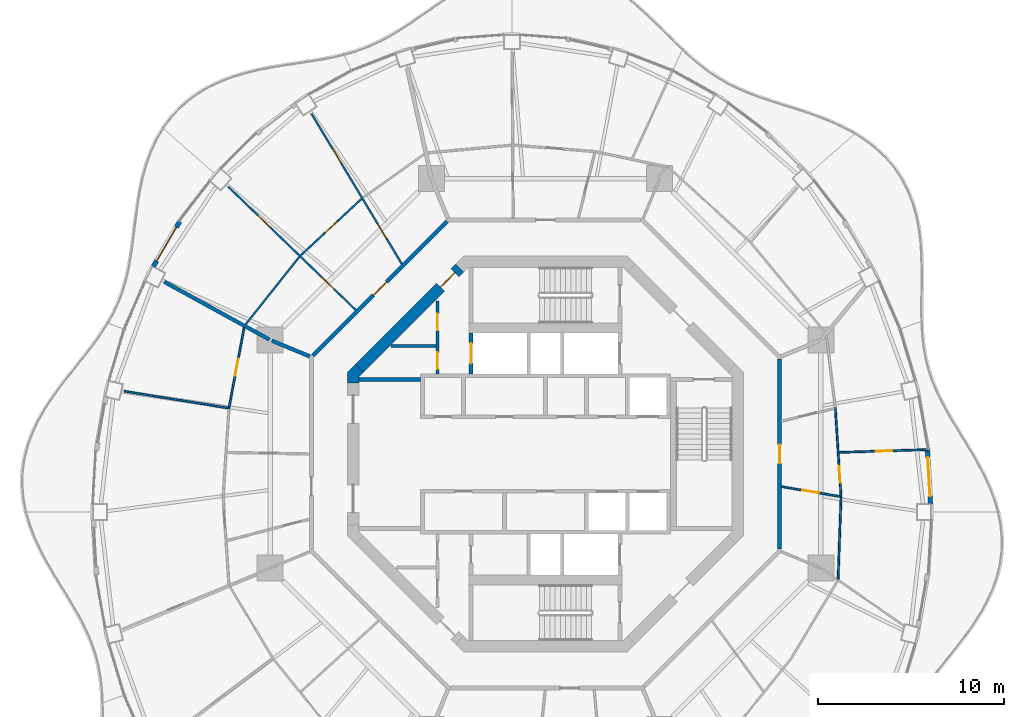
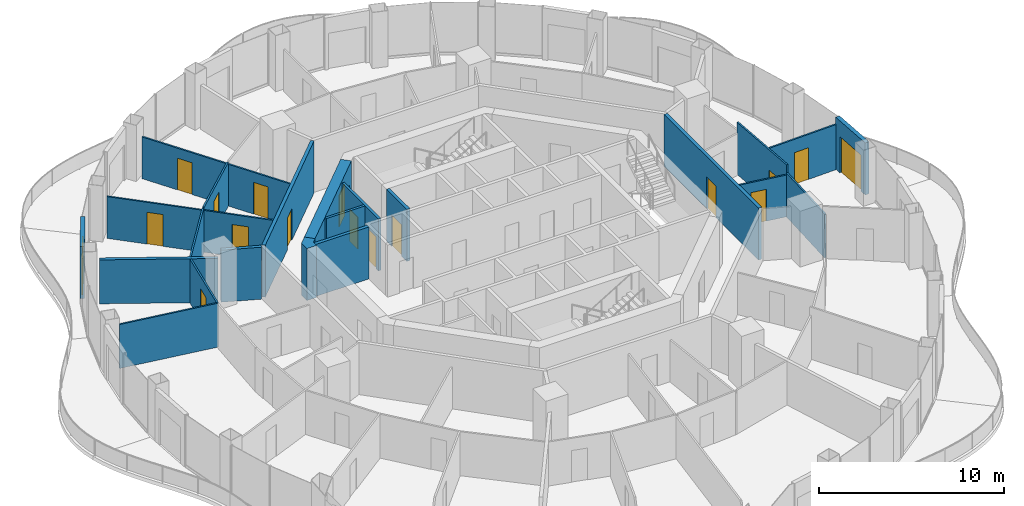
# One storey, part 12 of 17: 22 walls, 17 doors, 17 openings.
"""IFC4 building model written with IfcOpenShell, lengths in metres."""

import ifcopenshell
import ifcopenshell.guid

model = None  # the IFC model being written
_history = None  # IfcOwnerHistory: only IFC2X3 demands one
_inside = {}  # id of a spatial element -> (the spatial element, [elements in it])
_under = {}  # id of a project, library or spatial element -> (it, [spatial elements below it])
_declared = {}  # id of a project -> (the project, [libraries it declares])
_typed = {}  # id of a type object -> (the type object, [elements of that type])
_made_of = {}  # id of a material, layer set ... -> (it, [elements and type objects made of it])


def new_model(schema):
    """Start an empty IFC model of exactly this schema.

    Asked for "IFC4X3", IfcOpenShell would pick the latest addendum, in which some entities
    have other attributes; the version numbers below select the first issue.
    IFC2X3 requires an IfcOwnerHistory on every rooted entity: one is made here for all.
    """
    global model, _history
    if schema == "IFC4X3":
        model = ifcopenshell.file(schema_version=(4, 3, 0, 0))
    else:
        model = ifcopenshell.file(schema=schema)
    _inside.clear()
    _under.clear()
    _declared.clear()
    _typed.clear()
    _made_of.clear()
    _history = None
    if model.schema == "IFC2X3":
        org = make("IfcOrganization", Name="unknown")
        user = make(
            "IfcPersonAndOrganization",
            ThePerson=make("IfcPerson", FamilyName="unknown"),
            TheOrganization=org,
        )
        app = make(
            "IfcApplication",
            ApplicationDeveloper=org,
            Version="unknown",
            ApplicationFullName="unknown",
            ApplicationIdentifier="unknown",
        )
        _history = make(
            "IfcOwnerHistory",
            OwningUser=user,
            OwningApplication=app,
            ChangeAction="ADDED",
            CreationDate=0,
        )
    return model


def make(cls, **values):
    """One entity of the class cls with the attributes given. An attribute that is None is left unset."""
    return model.create_entity(
        cls, **{name: value for name, value in values.items() if value is not None}
    )


def rooted(cls, **values):
    """An entity with a GlobalId (a new one), such as an element, a storey or a relation."""
    return make(cls, GlobalId=ifcopenshell.guid.new(), OwnerHistory=_history, **values)


def si_unit(unit_type, name, prefix=None):
    """IfcSIUnit, for example si_unit("LENGTHUNIT", "METRE", prefix="MILLI")."""
    return make("IfcSIUnit", UnitType=unit_type, Prefix=prefix, Name=name)


def assignment(units):
    """IfcUnitAssignment: the units of a project."""
    return None if units is None else make("IfcUnitAssignment", Units=units)


def point(xyz):
    """IfcCartesianPoint."""
    return None if xyz is None else make("IfcCartesianPoint", Coordinates=xyz)


def direction(xyz):
    """IfcDirection."""
    return None if xyz is None else make("IfcDirection", DirectionRatios=xyz)


def frame(location, z_axis=None, x_axis=None):
    """IfcAxis2Placement3D, a coordinate frame: its origin and axes. An axis left out is left unset."""
    return make(
        "IfcAxis2Placement3D",
        Location=point(location),
        Axis=direction(z_axis),
        RefDirection=direction(x_axis),
    )


def frame_2d(location, x_axis=None):
    """IfcAxis2Placement2D, a coordinate frame in the plane: its origin and x axis."""
    return make(
        "IfcAxis2Placement2D", Location=point(location), RefDirection=direction(x_axis)
    )


def origin():
    """The frame at (0, 0, 0) with its axes left unset."""
    return frame((0.0, 0.0, 0.0))


def place(relative_to, where):
    """IfcLocalPlacement: puts the frame where relative to a parent placement (None: the world)."""
    return make(
        "IfcLocalPlacement", PlacementRelTo=relative_to, RelativePlacement=where
    )


def context(
    kind, dimensions, precision=None, world=None, true_north=None, identifier=None
):
    """IfcGeometricRepresentationContext, for example the 3D "Model" context."""
    return make(
        "IfcGeometricRepresentationContext",
        ContextIdentifier=identifier,
        ContextType=kind,
        CoordinateSpaceDimension=dimensions,
        Precision=precision,
        WorldCoordinateSystem=world,
        TrueNorth=true_north,
    )


def subcontext(parent, identifier, kind, view, scale=None):
    """IfcGeometricRepresentationSubContext, for example "Body" below "Model"."""
    return make(
        "IfcGeometricRepresentationSubContext",
        ContextIdentifier=identifier,
        ContextType=kind,
        ParentContext=parent,
        TargetScale=scale,
        TargetView=view,
    )


def project(units=None, contexts=None):
    """IfcProject with its units and contexts."""
    return rooted(
        "IfcProject",
        Name="project",
        RepresentationContexts=contexts,
        UnitsInContext=assignment(units),
    )


def spatial(cls, under=None, at=None, **own):
    """A site, building, storey or space (cls), placed at a placement, below another one or the project."""
    s = rooted(cls, ObjectPlacement=at, **own)
    if under is not None:
        _under.setdefault(under.id(), (under, []))[1].append(s)
    return s


def polyline(points):
    """IfcPolyline through the points."""
    return make("IfcPolyline", Points=[point(p) for p in points])


def profile(cls, at=None, kind="AREA", **sizes):
    """A parametric profile (cls). Its sizes go by their IFC names, for example OverallWidth=200.0."""
    return make(cls, ProfileType=kind, Position=at, **sizes)


def rectangle(**sizes):
    """IfcRectangleProfileDef."""
    return profile("IfcRectangleProfileDef", **sizes)


def outline(outer, holes=None, kind="AREA"):
    """IfcArbitraryClosedProfileDef: a profile drawn as a closed curve; with holes, ...WithVoids."""
    if holes is None:
        return make("IfcArbitraryClosedProfileDef", ProfileType=kind, OuterCurve=outer)
    return make(
        "IfcArbitraryProfileDefWithVoids",
        ProfileType=kind,
        OuterCurve=outer,
        InnerCurves=holes,
    )


def extrude(swept, where, along, depth):
    """IfcExtrudedAreaSolid: the profile swept, set in the frame where, extruded along a direction by depth."""
    return make(
        "IfcExtrudedAreaSolid",
        SweptArea=swept,
        Position=where,
        ExtrudedDirection=direction(along),
        Depth=depth,
    )


def shape(context_of_items, identifier, shape_type, items):
    """IfcShapeRepresentation: the items that make up one representation, for example the "Body"."""
    return make(
        "IfcShapeRepresentation",
        ContextOfItems=context_of_items,
        RepresentationIdentifier=identifier,
        RepresentationType=shape_type,
        Items=items,
    )


def material(Name=None, Category=None):
    """IfcMaterial."""
    return make("IfcMaterial", Name=Name, Category=Category)


def layer(
    of_material, thickness, ventilated=None, Name=None, Category=None, Priority=None
):
    """IfcMaterialLayer: one layer of a wall or slab, of a material (None: an air gap)."""
    return make(
        "IfcMaterialLayer",
        Material=of_material,
        LayerThickness=thickness,
        IsVentilated=ventilated,
        Name=Name,
        Category=Category,
        Priority=Priority,
    )


def layer_set(layers, Name=None):
    """IfcMaterialLayerSet."""
    return make("IfcMaterialLayerSet", MaterialLayers=layers, LayerSetName=Name)


def made_of(thing, what):
    """Note that an element or type object is made of a material, layer set ...; save() writes the relation."""
    if what is not None:
        _made_of.setdefault(what.id(), (what, []))[1].append(thing)
    return thing


def type_object(cls, material=None, **own):
    """A type object (cls), such as IfcWallType, which elements share."""
    return made_of(rooted(cls, **own), material)


def element(
    cls,
    number,
    at=None,
    inside=None,
    cuts=None,
    type_object=None,
    material=None,
    context=None,
    identifier="Body",
    shape_type=None,
    held_by="IfcProductDefinitionShape",
    body=None,
    shapes=None,
    **own,
):
    """One element of the class cls, such as IfcWall. Its Tag is "e" and its number.

    at: its placement. inside: the storey or other place that contains it. cuts: it is an
    opening in that element (IfcRelVoidsElement). A single representation is given by context,
    identifier, shape_type and body (its items); several are given by shapes. held_by: the class
    of the entity that holds the representations. save() writes the other relations.
    """
    e = rooted(cls, Tag="e%d" % number, ObjectPlacement=at, **own)
    if body is not None:
        shapes = [shape(context, identifier, shape_type, body)]
    if shapes is not None:
        e.Representation = make(held_by, Representations=shapes)
    if inside is not None:
        _inside.setdefault(inside.id(), (inside, []))[1].append(e)
    if cuts is not None:
        rooted(
            "IfcRelVoidsElement", RelatingBuildingElement=cuts, RelatedOpeningElement=e
        )
    if type_object is not None:
        _typed.setdefault(type_object.id(), (type_object, []))[1].append(e)
    return made_of(e, material)


def fill(opening, filler):
    """IfcRelFillsElement: the door or window that sits in an opening."""
    return rooted(
        "IfcRelFillsElement",
        RelatingOpeningElement=opening,
        RelatedBuildingElement=filler,
    )


def aggregate(whole, parts):
    """IfcRelAggregates: a whole, such as a stair, and the parts it consists of."""
    return rooted("IfcRelAggregates", RelatingObject=whole, RelatedObjects=parts)


def save(model, path):
    """Write the relations noted so far, then the file.

    IfcRelAggregates (storeys below a building ...), IfcRelContainedInSpatialStructure (elements
    in a storey), IfcRelDefinesByType, IfcRelAssociatesMaterial and IfcRelDeclares: one each for
    every whole, place, type object, material and project.
    """
    for whole, parts in _under.values():
        aggregate(whole, parts)
    for where, things in _inside.values():
        rooted(
            "IfcRelContainedInSpatialStructure",
            RelatedElements=things,
            RelatingStructure=where,
        )
    for kind, things in _typed.values():
        rooted("IfcRelDefinesByType", RelatedObjects=things, RelatingType=kind)
    for what, things in _made_of.values():
        rooted("IfcRelAssociatesMaterial", RelatedObjects=things, RelatingMaterial=what)
    for by, libraries in _declared.values():
        rooted("IfcRelDeclares", RelatingContext=by, RelatedDefinitions=libraries)
    model.write(path)


model = new_model("IFC4")

# Units and contexts
model_context = context("Model", 3, precision=1e-05, world=origin(), true_north=direction((0.0, 1.0)))
body_context = subcontext(model_context, "Body", "Model", "MODEL_VIEW")
ifc_project = project(units=[si_unit("LENGTHUNIT", "METRE"), si_unit("AREAUNIT", "SQUARE_METRE"), si_unit("VOLUMEUNIT", "CUBIC_METRE"), si_unit("PLANEANGLEUNIT", "RADIAN"), si_unit("MASSUNIT", "GRAM", prefix="KILO")], contexts=[model_context])

# Site, building, storey
site_placement = place(None, origin())
site = spatial("IfcSite", under=ifc_project, at=site_placement, CompositionType="ELEMENT")
building_placement = place(site_placement, origin())
building = spatial("IfcBuilding", under=site, at=building_placement, Name="Nagisa Residences", CompositionType="ELEMENT")
storey_placement = place(building_placement, frame((0.0, 0.0, 273.300048828125)))
storey = spatial("IfcBuildingStorey", under=building, at=storey_placement, Name="L69", CompositionType="ELEMENT", Elevation=273.300048828125)

# Walls
ifc_material_1 = material(Name="Gypsum board on steel studs", Category="steel")
ifc_layer_1 = layer(ifc_material_1, 0.199951171875)
ifc_layer_set_1 = layer_set([ifc_layer_1], Name="Apartment compartment wall EI60 200")
wall_type_1 = type_object("IfcWallType", Name="Apartment compartment wall EI60 200", PredefinedType="PARTITIONING", material=ifc_layer_set_1)
wall_1_placement = place(storey_placement, frame((-12.6572265625, 5.24267578125, 0.0), z_axis=(0.0, 0.0, 1.0), x_axis=(-0.923869415315, 0.382707856524, 0.0)))
element("IfcWall", 1, at=wall_1_placement, inside=storey, type_object=wall_type_1, Name="wall:L69:u04", PredefinedType="PARTITIONING", context=body_context, shape_type="SweptSolid", body=[
    extrude(rectangle(XDim=2.2001953125, YDim=0.199951171875, at=frame_2d((1.10009765625, 0.0))), origin(), (0.0, 0.0, 1.0), 3.43994140625),
])
wall_2_placement = place(storey_placement, frame((-14.825927734375, 6.14697265625, 0.0), z_axis=(0.0, 0.0, 1.0), x_axis=(-0.876484755865, 0.481429613481, 0.0)))
element("IfcWall", 2, at=wall_2_placement, inside=storey, type_object=wall_type_1, Name="wall:L69:u05", PredefinedType="PARTITIONING", context=body_context, shape_type="SweptSolid", body=[
    extrude(rectangle(XDim=6.43896484375, YDim=0.199951171875, at=frame_2d((3.219482421875, 0.0))), origin(), (0.0, 0.0, 1.0), 2.905029296875),
])

# Wall, opening, door
ifc_material_2 = material(Name="Gypsum board on steel studs", Category="steel")
ifc_layer_2 = layer(ifc_material_2, 0.199951171875)
ifc_layer_set_2 = layer_set([ifc_layer_2], Name="Apartment entry wall EI60 200")
wall_type_2 = type_object("IfcWallType", Name="Apartment entry wall EI60 200", PredefinedType="PARTITIONING", material=ifc_layer_set_2)
wall_3_placement = place(storey_placement, frame((12.564697265625, -5.1044921875, 0.0), z_axis=(0.0, 0.0, 1.0), x_axis=(0.0, 1.0, 0.0)))
wall_3 = element("IfcWall", 3, at=wall_3_placement, inside=storey, type_object=wall_type_2, Name="wall:L69:u10", PredefinedType="PARTITIONING", context=body_context, shape_type="SweptSolid", body=[
    extrude(rectangle(XDim=10.208984375, YDim=0.199951171875, at=frame_2d((5.1044921875, 0.0))), origin(), (0.0, 0.0, 1.0), 3.43994140625),
])
opening_1_placement = place(wall_3_placement, frame((4.6044921875, 0.0, 0.0)))
opening_1 = element("IfcOpeningElement", 4, at=opening_1_placement, cuts=wall_3, Name="Opening L69-U31", PredefinedType="OPENING", context=body_context, shape_type="SweptSolid", body=[
    extrude(rectangle(XDim=1.0, YDim=2.10009765625, at=frame_2d((0.5, 1.050048828125))), frame((0.0, 0.10986328125, 0.0), z_axis=(0.0, -1.0, 0.0), x_axis=(1.0, 0.0, 0.0)), (0.0, 0.0, 1.0), 0.219970703125),
])
ifc_material_3 = material(Name="Timber fire door set", Category="wood")
door_type_1 = type_object("IfcDoorType", Name="Apartment entry door FD30S 1000x2100", OperationType="NOTDEFINED", PredefinedType="DOOR", material=ifc_material_3)
door_1_placement = place(opening_1_placement, frame((1.0, 0.0, 0.0), x_axis=(-1.0, 0.0, 0.0)))
door_1 = element("IfcDoor", 5, at=door_1_placement, inside=storey, type_object=door_type_1, Name="Entry door, Apartment 69E", OperationType="SINGLE_SWING_RIGHT", OverallHeight=2.10009765625, OverallWidth=1.0, PredefinedType="DOOR", context=body_context, shape_type="SweptSolid", body=[
    extrude(rectangle(XDim=1.0, YDim=2.10009765625, at=frame_2d((0.5, 1.050048828125))), frame((0.0, 0.02490234375, 0.0), z_axis=(0.0, -1.0, 0.0), x_axis=(1.0, 0.0, 0.0)), (0.0, 0.0, 1.0), 0.050048828125),
])
fill(opening_1, door_1)

wall_4_placement = place(storey_placement, frame((-5.275146484375, 12.494140625, 0.0), z_axis=(0.0, 0.0, 1.0), x_axis=(-0.707106781187, -0.707106781187, 0.0)))
wall_4 = element("IfcWall", 6, at=wall_4_placement, inside=storey, type_object=wall_type_2, Name="wall:L69:u13", PredefinedType="PARTITIONING", context=body_context, shape_type="SweptSolid", body=[
    extrude(rectangle(XDim=10.209228515625, YDim=0.199951171875, at=frame_2d((5.1044921875, 0.0))), origin(), (0.0, 0.0, 1.0), 3.43994140625),
])
opening_2_placement = place(wall_4_placement, frame((4.6044921875, 0.0, 0.0)))
opening_2 = element("IfcOpeningElement", 7, at=opening_2_placement, cuts=wall_4, Name="Opening L69-U09", PredefinedType="OPENING", context=body_context, shape_type="SweptSolid", body=[
    extrude(rectangle(XDim=1.0, YDim=2.10009765625, at=frame_2d((0.5, 1.050048828125))), frame((0.0, 0.10986328125, 0.0), z_axis=(0.0, -1.0, 0.0), x_axis=(1.0, 0.0, 0.0)), (0.0, 0.0, 1.0), 0.219970703125),
])
door_2_placement = place(opening_2_placement, frame((1.0, 0.0, 0.0), x_axis=(-1.0, 0.0, 0.0)))
door_2 = element("IfcDoor", 8, at=door_2_placement, inside=storey, type_object=door_type_1, Name="Entry door, Apartment 69B", OperationType="SINGLE_SWING_RIGHT", OverallHeight=2.10009765625, OverallWidth=1.0, PredefinedType="DOOR", context=body_context, shape_type="SweptSolid", body=[
    extrude(rectangle(XDim=1.0, YDim=2.10009765625, at=frame_2d((0.5, 1.050048828125))), frame((0.0, 0.02490234375, 0.0), z_axis=(0.0, -1.0, 0.0), x_axis=(1.0, 0.0, 0.0)), (0.0, 0.0, 1.0), 0.050048828125),
])
fill(opening_2, door_2)

ifc_material_4 = material(Name="Gypsum board on steel studs", Category="steel")
ifc_layer_3 = layer(ifc_material_4, 0.10009765625)
ifc_layer_set_3 = layer_set([ifc_layer_3], Name="Apartment partition 100")
wall_type_3 = type_object("IfcWallType", Name="Apartment partition 100", PredefinedType="PARTITIONING", material=ifc_layer_set_3)
wall_5_placement = place(storey_placement, frame((12.663330078125, -1.75146484375, 0.0), z_axis=(0.0, 0.0, 1.0), x_axis=(0.98626156497, -0.165191178529, 0.0)))
wall_5 = element("IfcWall", 9, at=wall_5_placement, inside=storey, type_object=wall_type_3, Name="wall:L69:u18", PredefinedType="PARTITIONING", context=body_context, shape_type="SweptSolid", body=[
    extrude(rectangle(XDim=3.1982421875, YDim=0.10009765625, at=frame_2d((1.59912109375, 0.0))), origin(), (0.0, 0.0, 1.0), 2.761962890625),
])
opening_3_placement = place(wall_5_placement, frame((1.149169921875, 0.0, 0.0)))
opening_3 = element("IfcOpeningElement", 10, at=opening_3_placement, cuts=wall_5, Name="Opening L69-U32", PredefinedType="OPENING", context=body_context, shape_type="SweptSolid", body=[
    extrude(rectangle(XDim=0.89990234375, YDim=2.10009765625, at=frame_2d((0.449951171875, 1.050048828125))), frame((0.0, 0.06005859375, 0.0), z_axis=(0.0, -1.0, 0.0), x_axis=(1.0, 0.0, 0.0)), (0.0, 0.0, 1.0), 0.1201171875),
])
ifc_material_5 = material(Name="Timber door set", Category="wood")
door_type_2 = type_object("IfcDoorType", Name="Apartment door 900x2100", OperationType="NOTDEFINED", PredefinedType="DOOR", material=ifc_material_5)
door_3_placement = place(opening_3_placement, frame((0.89990234375, 0.0, 0.0), x_axis=(-1.0, 0.0, 0.0)))
door_3 = element("IfcDoor", 11, at=door_3_placement, inside=storey, type_object=door_type_2, Name="Door to family bathroom, Apartment 69E", OperationType="SINGLE_SWING_LEFT", OverallHeight=2.10009765625, OverallWidth=0.89990234375, PredefinedType="DOOR", context=body_context, shape_type="SweptSolid", body=[
    extrude(rectangle(XDim=0.89990234375, YDim=2.10009765625, at=frame_2d((0.449951171875, 1.050048828125))), frame((0.0, 0.02490234375, 0.0), z_axis=(0.0, -1.0, 0.0), x_axis=(1.0, 0.0, 0.0)), (0.0, 0.0, 1.0), 0.050048828125),
])
fill(opening_3, door_3)

wall_6_placement = place(storey_placement, frame((15.8701171875, -2.337890625, 0.0), z_axis=(0.0, 0.0, 1.0), x_axis=(-0.064797294757, 0.997898447034, 0.0)))
wall_6 = element("IfcWall", 12, at=wall_6_placement, inside=storey, type_object=wall_type_3, Name="wall:L69:u19", PredefinedType="PARTITIONING", context=body_context, shape_type="SweptSolid", body=[
    extrude(rectangle(XDim=4.856689453125, YDim=0.10009765625, at=frame_2d((2.42822265625, 0.0))), origin(), (0.0, 0.0, 1.0), 3.43994140625),
])
opening_4_placement = place(wall_6_placement, frame((0.789306640625, 0.0, 0.0)))
opening_4 = element("IfcOpeningElement", 13, at=opening_4_placement, cuts=wall_6, Name="Opening L69-U34", PredefinedType="OPENING", context=body_context, shape_type="SweptSolid", body=[
    extrude(rectangle(XDim=0.89990234375, YDim=2.10009765625, at=frame_2d((0.449951171875, 1.050048828125))), frame((0.0, 0.06005859375, 0.0), z_axis=(0.0, -1.0, 0.0), x_axis=(1.0, 0.0, 0.0)), (0.0, 0.0, 1.0), 0.1201171875),
])
door_4_placement = place(opening_4_placement, frame((0.89990234375, 0.0, 0.0), x_axis=(-1.0, 0.0, 0.0)))
door_4 = element("IfcDoor", 14, at=door_4_placement, inside=storey, type_object=door_type_2, Name="Door to kitchen, Apartment 69E", OperationType="SINGLE_SWING_LEFT", OverallHeight=2.10009765625, OverallWidth=0.89990234375, PredefinedType="DOOR", context=body_context, shape_type="SweptSolid", body=[
    extrude(rectangle(XDim=0.89990234375, YDim=2.10009765625, at=frame_2d((0.449951171875, 1.050048828125))), frame((0.0, 0.02490234375, 0.0), z_axis=(0.0, -1.0, 0.0), x_axis=(1.0, 0.0, 0.0)), (0.0, 0.0, 1.0), 0.050048828125),
])
fill(opening_4, door_4)

# Wall
wall_7_placement = place(storey_placement, frame((15.864990234375, -2.337890625, 0.0), z_axis=(0.0, 0.0, 1.0), x_axis=(-0.035902310383, -0.999355304238, 0.0)))
element("IfcWall", 15, at=wall_7_placement, inside=storey, type_object=wall_type_3, Name="wall:L69:u20", PredefinedType="PARTITIONING", context=body_context, shape_type="SweptSolid", body=[
    extrude(rectangle(XDim=4.37939453125, YDim=0.10009765625, at=frame_2d((2.189697265625, 0.0))), origin(), (0.0, 0.0, 1.0), 2.905029296875),
])

# Wall, opening, door
wall_8_placement = place(storey_placement, frame((15.7626953125, 0.0869140625, 0.0), z_axis=(0.0, 0.0, 1.0), x_axis=(0.999492034598, 0.03186962151, 0.0)))
wall_8 = element("IfcWall", 16, at=wall_8_placement, inside=storey, type_object=wall_type_3, Name="wall:L69:u21", PredefinedType="PARTITIONING", context=body_context, shape_type="SweptSolid", body=[
    extrude(rectangle(XDim=4.826171875, YDim=0.10009765625, at=frame_2d((2.4130859375, 0.0))), origin(), (0.0, 0.0, 1.0), 2.98291015625),
])
opening_5_placement = place(wall_8_placement, frame((1.963134765625, 0.0, 0.0)))
opening_5 = element("IfcOpeningElement", 17, at=opening_5_placement, cuts=wall_8, Name="Opening L69-U35", PredefinedType="OPENING", context=body_context, shape_type="SweptSolid", body=[
    extrude(rectangle(XDim=0.89990234375, YDim=2.10009765625, at=frame_2d((0.449951171875, 1.050048828125))), frame((0.0, 0.06005859375, 0.0), z_axis=(0.0, -1.0, 0.0), x_axis=(1.0, 0.0, 0.0)), (0.0, 0.0, 1.0), 0.1201171875),
])
door_5_placement = place(opening_5_placement, origin())
door_5 = element("IfcDoor", 18, at=door_5_placement, inside=storey, type_object=door_type_2, Name="Door to bedroom, Apartment 69E", OperationType="SINGLE_SWING_LEFT", OverallHeight=2.10009765625, OverallWidth=0.89990234375, PredefinedType="DOOR", context=body_context, shape_type="SweptSolid", body=[
    extrude(rectangle(XDim=0.89990234375, YDim=2.10009765625, at=frame_2d((0.449951171875, 1.050048828125))), frame((0.0, 0.02490234375, 0.0), z_axis=(0.0, -1.0, 0.0), x_axis=(1.0, 0.0, 0.0)), (0.0, 0.0, 1.0), 0.050048828125),
])
fill(opening_5, door_5)

# Wall, openings, doors
wall_9_placement = place(storey_placement, frame((-7.70947265625, 10.197021484375, 0.0), z_axis=(0.0, 0.0, 1.0), x_axis=(-0.515516160663, 0.856879856278, 0.0)))
wall_9 = element("IfcWall", 19, at=wall_9_placement, inside=storey, type_object=wall_type_3, Name="wall:L69:u35", PredefinedType="PARTITIONING", context=body_context, shape_type="SweptSolid", body=[
    extrude(rectangle(XDim=9.42626953125, YDim=0.10009765625, at=frame_2d((4.713134765625, 0.0))), origin(), (0.0, 0.0, 1.0), 2.761962890625),
])
opening_6_placement = place(wall_9_placement, frame((1.615234375, 0.0, 0.0)))
opening_6 = element("IfcOpeningElement", 20, at=opening_6_placement, cuts=wall_9, Name="Opening L69-U10", PredefinedType="OPENING", context=body_context, shape_type="SweptSolid", body=[
    extrude(rectangle(XDim=0.89990234375, YDim=2.10009765625, at=frame_2d((0.449951171875, 1.050048828125))), frame((0.0, 0.06005859375, 0.0), z_axis=(0.0, -1.0, 0.0), x_axis=(1.0, 0.0, 0.0)), (0.0, 0.0, 1.0), 0.1201171875),
])
opening_7_placement = place(wall_9_placement, frame((6.328369140625, 0.0, 0.0)))
opening_7 = element("IfcOpeningElement", 21, at=opening_7_placement, cuts=wall_9, Name="Opening L69-U14", PredefinedType="OPENING", context=body_context, shape_type="SweptSolid", body=[
    extrude(rectangle(XDim=0.89990234375, YDim=2.10009765625, at=frame_2d((0.449951171875, 1.050048828125))), frame((0.0, 0.06005859375, 0.0), z_axis=(0.0, -1.0, 0.0), x_axis=(1.0, 0.0, 0.0)), (0.0, 0.0, 1.0), 0.1201171875),
])
door_6_placement = place(opening_6_placement, frame((0.89990234375, 0.0, 0.0), x_axis=(-1.0, 0.0, 0.0)))
door_6 = element("IfcDoor", 22, at=door_6_placement, inside=storey, type_object=door_type_2, Name="Door to family bathroom, Apartment 69B", OperationType="SINGLE_SWING_LEFT", OverallHeight=2.10009765625, OverallWidth=0.89990234375, PredefinedType="DOOR", context=body_context, shape_type="SweptSolid", body=[
    extrude(rectangle(XDim=0.89990234375, YDim=2.10009765625, at=frame_2d((0.449951171875, 1.050048828125))), frame((0.0, 0.02490234375, 0.0), z_axis=(0.0, -1.0, 0.0), x_axis=(1.0, 0.0, 0.0)), (0.0, 0.0, 1.0), 0.050048828125),
])
fill(opening_6, door_6)
door_7_placement = place(opening_7_placement, frame((0.89990234375, 0.0, 0.0), x_axis=(-1.0, 0.0, 0.0)))
door_7 = element("IfcDoor", 23, at=door_7_placement, inside=storey, type_object=door_type_2, Name="Door to kitchen, Apartment 69B", OperationType="SINGLE_SWING_LEFT", OverallHeight=2.10009765625, OverallWidth=0.89990234375, PredefinedType="DOOR", context=body_context, shape_type="SweptSolid", body=[
    extrude(rectangle(XDim=0.89990234375, YDim=2.10009765625, at=frame_2d((0.449951171875, 1.050048828125))), frame((0.0, 0.02490234375, 0.0), z_axis=(0.0, -1.0, 0.0), x_axis=(1.0, 0.0, 0.0)), (0.0, 0.0, 1.0), 0.050048828125),
])
fill(opening_7, door_7)

# Wall, opening, door
wall_10_placement = place(storey_placement, frame((-9.87548828125, 13.702392578125, 0.0), z_axis=(0.0, 0.0, 1.0), x_axis=(-0.732618266441, -0.680639754699, 0.0)))
wall_10 = element("IfcWall", 24, at=wall_10_placement, inside=storey, type_object=wall_type_3, Name="wall:L69:u36", PredefinedType="PARTITIONING", context=body_context, shape_type="SweptSolid", body=[
    extrude(rectangle(XDim=4.466796875, YDim=0.10009765625, at=frame_2d((2.2333984375, 0.0))), origin(), (0.0, 0.0, 1.0), 2.905029296875),
])
opening_8_placement = place(wall_10_placement, frame((1.783447265625, 0.0, 0.0)))
opening_8 = element("IfcOpeningElement", 25, at=opening_8_placement, cuts=wall_10, Name="Opening L69-U12", PredefinedType="OPENING", context=body_context, shape_type="SweptSolid", body=[
    extrude(rectangle(XDim=0.89990234375, YDim=2.10009765625, at=frame_2d((0.449951171875, 1.050048828125))), frame((0.0, 0.06005859375, 0.0), z_axis=(0.0, -1.0, 0.0), x_axis=(1.0, 0.0, 0.0)), (0.0, 0.0, 1.0), 0.1201171875),
])
door_8_placement = place(opening_8_placement, frame((0.89990234375, 0.0, 0.0), x_axis=(-1.0, 0.0, 0.0)))
door_8 = element("IfcDoor", 26, at=door_8_placement, inside=storey, type_object=door_type_2, Name="Door to dining room, Apartment 69B", OperationType="SINGLE_SWING_LEFT", OverallHeight=2.10009765625, OverallWidth=0.89990234375, PredefinedType="DOOR", context=body_context, shape_type="SweptSolid", body=[
    extrude(rectangle(XDim=0.89990234375, YDim=2.10009765625, at=frame_2d((0.449951171875, 1.050048828125))), frame((0.0, 0.02490234375, 0.0), z_axis=(0.0, -1.0, 0.0), x_axis=(1.0, 0.0, 0.0)), (0.0, 0.0, 1.0), 0.050048828125),
])
fill(opening_8, door_8)

# Wall, openings, doors
wall_11_placement = place(storey_placement, frame((-10.183349609375, 7.727294921875, 0.0), z_axis=(0.0, 0.0, 1.0), x_axis=(-0.719063433856, 0.694944442449, 0.0)))
wall_11 = element("IfcWall", 27, at=wall_11_placement, inside=storey, type_object=wall_type_3, Name="wall:L69:u37", PredefinedType="PARTITIONING", context=body_context, shape_type="SweptSolid", body=[
    extrude(rectangle(XDim=9.53515625, YDim=0.10009765625, at=frame_2d((4.767578125, 0.0))), origin(), (0.0, 0.0, 1.0), 2.761962890625),
])
opening_9_placement = place(wall_11_placement, frame((1.636962890625, 0.0, 0.0)))
opening_9 = element("IfcOpeningElement", 28, at=opening_9_placement, cuts=wall_11, Name="Opening L69-U11", PredefinedType="OPENING", context=body_context, shape_type="SweptSolid", body=[
    extrude(rectangle(XDim=0.89990234375, YDim=2.10009765625, at=frame_2d((0.449951171875, 1.050048828125))), frame((0.0, 0.06005859375, 0.0), z_axis=(0.0, -1.0, 0.0), x_axis=(1.0, 0.0, 0.0)), (0.0, 0.0, 1.0), 0.1201171875),
])
opening_10_placement = place(wall_11_placement, frame((6.404541015625, 0.0, 0.0)))
opening_10 = element("IfcOpeningElement", 29, at=opening_10_placement, cuts=wall_11, Name="Opening L69-U13", PredefinedType="OPENING", context=body_context, shape_type="SweptSolid", body=[
    extrude(rectangle(XDim=0.89990234375, YDim=2.10009765625, at=frame_2d((0.449951171875, 1.050048828125))), frame((0.0, 0.06005859375, 0.0), z_axis=(0.0, -1.0, 0.0), x_axis=(1.0, 0.0, 0.0)), (0.0, 0.0, 1.0), 0.1201171875),
])
door_9_placement = place(opening_9_placement, origin())
door_9 = element("IfcDoor", 30, at=door_9_placement, inside=storey, type_object=door_type_2, Name="Door to store, Apartment 69B", OperationType="SINGLE_SWING_LEFT", OverallHeight=2.10009765625, OverallWidth=0.89990234375, PredefinedType="DOOR", context=body_context, shape_type="SweptSolid", body=[
    extrude(rectangle(XDim=0.89990234375, YDim=2.10009765625, at=frame_2d((0.449951171875, 1.050048828125))), frame((0.0, 0.02490234375, 0.0), z_axis=(0.0, -1.0, 0.0), x_axis=(1.0, 0.0, 0.0)), (0.0, 0.0, 1.0), 0.050048828125),
])
fill(opening_9, door_9)
door_10_placement = place(opening_10_placement, origin())
door_10 = element("IfcDoor", 31, at=door_10_placement, inside=storey, type_object=door_type_2, Name="Door to bedroom, Apartment 69B", OperationType="SINGLE_SWING_LEFT", OverallHeight=2.10009765625, OverallWidth=0.89990234375, PredefinedType="DOOR", context=body_context, shape_type="SweptSolid", body=[
    extrude(rectangle(XDim=0.89990234375, YDim=2.10009765625, at=frame_2d((0.449951171875, 1.050048828125))), frame((0.0, 0.02490234375, 0.0), z_axis=(0.0, -1.0, 0.0), x_axis=(1.0, 0.0, 0.0)), (0.0, 0.0, 1.0), 0.050048828125),
])
fill(opening_10, door_10)

# Wall
wall_12_placement = place(storey_placement, frame((-13.2158203125, 10.5888671875, 0.0), z_axis=(0.0, 0.0, 1.0), x_axis=(-0.622251572882, -0.782817335045, 0.0)))
element("IfcWall", 32, at=wall_12_placement, inside=storey, type_object=wall_type_3, Name="wall:L69:u38", PredefinedType="PARTITIONING", context=body_context, shape_type="SweptSolid", body=[
    extrude(rectangle(XDim=4.635986328125, YDim=0.10009765625, at=frame_2d((2.31787109375, 0.0))), origin(), (0.0, 0.0, 1.0), 2.905029296875),
])

# Wall, opening, door
wall_13_placement = place(storey_placement, frame((-16.181396484375, 6.783203125, 0.0), z_axis=(0.0, 0.0, 1.0), x_axis=(-0.185670583745, -0.982612046706, 0.0)))
wall_13 = element("IfcWall", 33, at=wall_13_placement, inside=storey, type_object=wall_type_3, Name="wall:L69:u39", PredefinedType="PARTITIONING", context=body_context, shape_type="SweptSolid", body=[
    extrude(rectangle(XDim=4.35107421875, YDim=0.10009765625, at=frame_2d((2.175537109375, 0.0))), origin(), (0.0, 0.0, 1.0), 2.905029296875),
])
opening_11_placement = place(wall_13_placement, frame((1.7255859375, 0.0, 0.0)))
opening_11 = element("IfcOpeningElement", 34, at=opening_11_placement, cuts=wall_13, Name="Opening L69-U18", PredefinedType="OPENING", context=body_context, shape_type="SweptSolid", body=[
    extrude(rectangle(XDim=0.89990234375, YDim=2.10009765625, at=frame_2d((0.449951171875, 1.050048828125))), frame((0.0, 0.06005859375, 0.0), z_axis=(0.0, -1.0, 0.0), x_axis=(1.0, 0.0, 0.0)), (0.0, 0.0, 1.0), 0.1201171875),
])
door_11_placement = place(opening_11_placement, frame((0.89990234375, 0.0, 0.0), x_axis=(-1.0, 0.0, 0.0)))
door_11 = element("IfcDoor", 35, at=door_11_placement, inside=storey, type_object=door_type_2, Name="Door to bedroom, Apartment 69C", OperationType="SINGLE_SWING_LEFT", OverallHeight=2.10009765625, OverallWidth=0.89990234375, PredefinedType="DOOR", context=body_context, shape_type="SweptSolid", body=[
    extrude(rectangle(XDim=0.89990234375, YDim=2.10009765625, at=frame_2d((0.449951171875, 1.050048828125))), frame((0.0, 0.02490234375, 0.0), z_axis=(0.0, -1.0, 0.0), x_axis=(1.0, 0.0, 0.0)), (0.0, 0.0, 1.0), 0.050048828125),
])
fill(opening_11, door_11)

# Wall
wall_14_placement = place(storey_placement, frame((-16.94921875, 2.45068359375, 0.0), z_axis=(0.0, 0.0, 1.0), x_axis=(-0.986937570833, 0.161103169673, 0.0)))
element("IfcWall", 36, at=wall_14_placement, inside=storey, type_object=wall_type_3, Name="wall:L69:u40", PredefinedType="PARTITIONING", context=body_context, shape_type="SweptSolid", body=[
    extrude(rectangle(XDim=5.743408203125, YDim=0.10009765625, at=frame_2d((2.87158203125, 0.0))), origin(), (0.0, 0.0, 1.0), 2.905029296875),
])

# Wall, opening, door
ifc_material_6 = material(Name="Precast concrete C40/50", Category="concrete")
ifc_layer_4 = layer(ifc_material_6, 0.25)
ifc_layer_set_4 = layer_set([ifc_layer_4], Name="BALCONY DOOR WALL 250")
wall_type_4 = type_object("IfcWallType", Name="BALCONY DOOR WALL 250", PredefinedType="SOLIDWALL", material=ifc_layer_set_4)
wall_15_placement = place(storey_placement, frame((20.501708984375, 0.23486328125, 0.0), z_axis=(0.0, 0.0, 1.0), x_axis=(0.057533933376, -0.998343551344, 0.0)))
wall_15 = element("IfcWall", 37, at=wall_15_placement, inside=storey, type_object=wall_type_4, Name="wall:L69:bay00", PredefinedType="SOLIDWALL", context=body_context, shape_type="SweptSolid", body=[
    extrude(rectangle(XDim=2.915283203125, YDim=0.25, at=frame_2d((1.45751953125, 0.0))), origin(), (0.0, 0.0, 1.0), 3.43994140625),
])
opening_12_placement = place(wall_15_placement, frame((0.40771484375, 0.0, 0.0)))
opening_12 = element("IfcOpeningElement", 38, at=opening_12_placement, cuts=wall_15, Name="Opening BD-L69-01", PredefinedType="OPENING", context=body_context, shape_type="SweptSolid", body=[
    extrude(rectangle(XDim=2.10009765625, YDim=2.39990234375, at=frame_2d((1.050048828125, 1.199951171875))), frame((0.0, 0.135009765625, 0.0), z_axis=(0.0, -1.0, 0.0), x_axis=(1.0, 0.0, 0.0)), (0.0, 0.0, 1.0), 0.27001953125),
])
ifc_material_7 = material(Name="Aluminium and clear glass", Category="aluminium")
door_type_3 = type_object("IfcDoorType", Name="BALCONY SLIDING DOOR 2100x2400", OperationType="SLIDING_TO_LEFT", PredefinedType="DOOR", material=ifc_material_7)
door_12_placement = place(opening_12_placement, origin())
door_12 = element("IfcDoor", 39, at=door_12_placement, inside=storey, type_object=door_type_3, Name="door:L69:bay00", OperationType="SLIDING_TO_LEFT", OverallHeight=2.39990234375, OverallWidth=2.10009765625, PredefinedType="DOOR", context=body_context, shape_type="SweptSolid", body=[
    extrude(rectangle(XDim=2.10009765625, YDim=2.39990234375, at=frame_2d((1.050048828125, 1.199951171875))), frame((0.0, 0.02490234375, 0.0), z_axis=(0.0, -1.0, 0.0), x_axis=(1.0, 0.0, 0.0)), (0.0, 0.0, 1.0), 0.050048828125),
])
fill(opening_12, door_12)

wall_16_placement = place(storey_placement, frame((-21.053955078125, 10.0771484375, 0.0), z_axis=(0.0, 0.0, 1.0), x_axis=(0.506371364425, 0.862315511452, 0.0)))
wall_16 = element("IfcWall", 40, at=wall_16_placement, inside=storey, type_object=wall_type_4, Name="wall:L69:bay19", PredefinedType="SOLIDWALL", context=body_context, shape_type="SweptSolid", body=[
    extrude(rectangle(XDim=2.79638671875, YDim=0.25, at=frame_2d((1.398193359375, 0.0))), origin(), (0.0, 0.0, 1.0), 3.43994140625),
])
opening_13_placement = place(wall_16_placement, frame((0.34814453125, 0.0, 0.0)))
opening_13 = element("IfcOpeningElement", 41, at=opening_13_placement, cuts=wall_16, Name="Opening BD-L69-07", PredefinedType="OPENING", context=body_context, shape_type="SweptSolid", body=[
    extrude(rectangle(XDim=2.10009765625, YDim=2.39990234375, at=frame_2d((1.050048828125, 1.199951171875))), frame((0.0, 0.135009765625, 0.0), z_axis=(0.0, -1.0, 0.0), x_axis=(1.0, 0.0, 0.0)), (0.0, 0.0, 1.0), 0.27001953125),
])
door_13_placement = place(opening_13_placement, origin())
door_13 = element("IfcDoor", 42, at=door_13_placement, inside=storey, type_object=door_type_3, Name="door:L69:bay19", OperationType="SLIDING_TO_LEFT", OverallHeight=2.39990234375, OverallWidth=2.10009765625, PredefinedType="DOOR", context=body_context, shape_type="SweptSolid", body=[
    extrude(rectangle(XDim=2.10009765625, YDim=2.39990234375, at=frame_2d((1.050048828125, 1.199951171875))), frame((0.0, 0.02490234375, 0.0), z_axis=(0.0, -1.0, 0.0), x_axis=(1.0, 0.0, 0.0)), (0.0, 0.0, 1.0), 0.050048828125),
])
fill(opening_13, door_13)

# Wall, openings, doors
ifc_material_8 = material(Name="Gypsum board on steel studs", Category="steel")
ifc_layer_5 = layer(ifc_material_8, 0.14990234375)
ifc_layer_set_5 = layer_set([ifc_layer_5], Name="Core partition 150")
wall_type_5 = type_object("IfcWallType", Name="Core partition 150", PredefinedType="PARTITIONING", material=ifc_layer_set_5)
wall_17_placement = place(storey_placement, frame((-5.800048828125, 4.300048828125, 0.0), z_axis=(0.0, 0.0, 1.0), x_axis=(0.0, 1.0, 0.0)))
wall_17 = element("IfcWall", 43, at=wall_17_placement, inside=storey, type_object=wall_type_5, Name="wall:L69:NWp", PredefinedType="PARTITIONING", context=body_context, shape_type="SweptSolid", body=[
    extrude(rectangle(XDim=3.927001953125, YDim=0.14990234375, at=frame_2d((1.96337890625, 0.0))), origin(), (0.0, 0.0, 1.0), 3.43994140625),
])
opening_14_placement = place(wall_17_placement, frame((0.262451171875, 0.0, 0.0)))
opening_14 = element("IfcOpeningElement", 44, at=opening_14_placement, cuts=wall_17, Name="Opening L69-C10", PredefinedType="OPENING", context=body_context, shape_type="SweptSolid", body=[
    extrude(rectangle(XDim=0.89990234375, YDim=2.10009765625, at=frame_2d((0.449951171875, 1.050048828125))), frame((0.0, 0.0849609375, 0.0), z_axis=(0.0, -1.0, 0.0), x_axis=(1.0, 0.0, 0.0)), (0.0, 0.0, 1.0), 0.169921875),
])
opening_15_placement = place(wall_17_placement, frame((2.33837890625, 0.0, 0.0)))
opening_15 = element("IfcOpeningElement", 45, at=opening_15_placement, cuts=wall_17, Name="Opening L69-C11", PredefinedType="OPENING", context=body_context, shape_type="SweptSolid", body=[
    extrude(rectangle(XDim=0.89990234375, YDim=2.10009765625, at=frame_2d((0.449951171875, 1.050048828125))), frame((0.0, 0.0849609375, 0.0), z_axis=(0.0, -1.0, 0.0), x_axis=(1.0, 0.0, 0.0)), (0.0, 0.0, 1.0), 0.169921875),
])
ifc_material_9 = material(Name="Steel fire door", Category="steel")
door_type_4 = type_object("IfcDoorType", Name="Fire door EI30 900x2100 single swing", OperationType="NOTDEFINED", PredefinedType="DOOR", material=ifc_material_9)
door_14_placement = place(opening_14_placement, origin())
door_14 = element("IfcDoor", 46, at=door_14_placement, inside=storey, type_object=door_type_4, Name="Hose reel room door L69", OperationType="SINGLE_SWING_RIGHT", OverallHeight=2.10009765625, OverallWidth=0.89990234375, PredefinedType="DOOR", context=body_context, shape_type="SweptSolid", body=[
    extrude(rectangle(XDim=0.89990234375, YDim=2.10009765625, at=frame_2d((0.449951171875, 1.050048828125))), frame((0.0, 0.02490234375, 0.0), z_axis=(0.0, -1.0, 0.0), x_axis=(1.0, 0.0, 0.0)), (0.0, 0.0, 1.0), 0.050048828125),
])
fill(opening_14, door_14)
door_15_placement = place(opening_15_placement, origin())
door_15 = element("IfcDoor", 47, at=door_15_placement, inside=storey, type_object=door_type_4, Name="Cleaner store door L69", OperationType="SINGLE_SWING_RIGHT", OverallHeight=2.10009765625, OverallWidth=0.89990234375, PredefinedType="DOOR", context=body_context, shape_type="SweptSolid", body=[
    extrude(rectangle(XDim=0.89990234375, YDim=2.10009765625, at=frame_2d((0.449951171875, 1.050048828125))), frame((0.0, 0.02490234375, 0.0), z_axis=(0.0, -1.0, 0.0), x_axis=(1.0, 0.0, 0.0)), (0.0, 0.0, 1.0), 0.050048828125),
])
fill(opening_15, door_15)

# Walls
wall_18_placement = place(storey_placement, frame((-8.301025390625, 5.800048828125, 0.0), z_axis=(0.0, 0.0, 1.0), x_axis=(1.0, 0.0, 0.0)))
element("IfcWall", 48, at=wall_18_placement, inside=storey, type_object=wall_type_5, Name="wall:L69:NWq", PredefinedType="PARTITIONING", context=body_context, shape_type="SweptSolid", body=[
    extrude(rectangle(XDim=2.426025390625, YDim=0.14990234375, at=frame_2d((1.212890625, 0.0))), origin(), (0.0, 0.0, 1.0), 3.43994140625),
])
ifc_material_10 = material(Name="Gypsum board on steel studs", Category="steel")
ifc_layer_6 = layer(ifc_material_10, 0.199951171875)
ifc_layer_set_6 = layer_set([ifc_layer_6], Name="Core partition 200")
wall_type_6 = type_object("IfcWallType", Name="Core partition 200", PredefinedType="PARTITIONING", material=ifc_layer_set_6)
wall_19_placement = place(storey_placement, frame((-10.024658203125, 4.0, 0.0), z_axis=(0.0, 0.0, 1.0), x_axis=(1.0, 0.0, 0.0)))
element("IfcWall", 49, at=wall_19_placement, inside=storey, type_object=wall_type_6, Name="wall:L69:PNW", PredefinedType="PARTITIONING", context=body_context, shape_type="SweptSolid", body=[
    extrude(rectangle(XDim=3.32470703125, YDim=0.199951171875, at=frame_2d((1.662353515625, 0.0))), origin(), (0.0, 0.0, 1.0), 3.43994140625),
])

# Wall, opening, door
ifc_material_11 = material(Name="Concrete C60", Category="concrete")
ifc_layer_7 = layer(ifc_material_11, 0.60009765625)
ifc_layer_set_7 = layer_set([ifc_layer_7], Name="Core shear wall 600")
wall_type_7 = type_object("IfcWallType", Name="Core shear wall 600", PredefinedType="SHEAR", material=ifc_layer_set_7)
wall_20_placement = place(storey_placement, frame((-4.613037109375, 9.98828125, 0.0), z_axis=(0.0, 0.0, 1.0), x_axis=(-0.707106781187, -0.707106781187, 0.0)))
wall_20 = element("IfcWall", 50, at=wall_20_placement, inside=storey, type_object=wall_type_7, Name="wall:L69:core:flat3", PredefinedType="SHEAR", context=body_context, shape_type="SweptSolid", body=[
    extrude(rectangle(XDim=7.601806640625, YDim=0.60009765625, at=frame_2d((3.80078125, 0.0))), origin(), (0.0, 0.0, 1.0), 3.43994140625),
])
opening_16_placement = place(wall_20_placement, frame((0.350830078125, 0.0, 0.0)))
opening_16 = element("IfcOpeningElement", 51, at=opening_16_placement, cuts=wall_20, Name="Opening L69-C25", PredefinedType="OPENING", context=body_context, shape_type="SweptSolid", body=[
    extrude(rectangle(XDim=1.10009765625, YDim=2.10009765625, at=frame_2d((0.550048828125, 1.050048828125))), frame((0.0, 0.31005859375, 0.0), z_axis=(0.0, -1.0, 0.0), x_axis=(1.0, 0.0, 0.0)), (0.0, 0.0, 1.0), 0.6201171875),
])
ifc_material_12 = material(Name="Steel fire door", Category="steel")
door_type_5 = type_object("IfcDoorType", Name="Fire door EI60 1100x2100 single swing", OperationType="NOTDEFINED", PredefinedType="DOOR", material=ifc_material_12)
door_16_placement = place(opening_16_placement, origin())
door_16 = element("IfcDoor", 52, at=door_16_placement, inside=storey, type_object=door_type_5, Name="Service lobby door L69", OperationType="SINGLE_SWING_RIGHT", OverallHeight=2.10009765625, OverallWidth=1.10009765625, PredefinedType="DOOR", context=body_context, shape_type="SweptSolid", body=[
    extrude(rectangle(XDim=1.10009765625, YDim=2.10009765625, at=frame_2d((0.550048828125, 1.050048828125))), frame((0.0, 0.02490234375, 0.0), z_axis=(0.0, -1.0, 0.0), x_axis=(1.0, 0.0, 0.0)), (0.0, 0.0, 1.0), 0.050048828125),
])
fill(opening_16, door_16)

# Wall
wall_21_placement = place(storey_placement, origin())
element("IfcWall", 53, at=wall_21_placement, inside=storey, type_object=wall_type_7, Name="wall:L69:core:pier3", PredefinedType="SHEAR", context=body_context, shape_type="SweptSolid", body=[
    extrude(outline(polyline([(-10.200439453125, 4.8251953125), (-9.776123046875, 4.40087890625), (-10.024658203125, 4.15234375), (-10.024658203125, 3.80078125), (-10.62451171875, 3.80078125), (-10.62451171875, 4.40087890625), (-10.200439453125, 4.8251953125)])), origin(), (0.0, 0.0, 1.0), 3.43994140625),
])

# Wall, opening, door
ifc_material_13 = material(Name="Concrete C60", Category="concrete")
ifc_layer_8 = layer(ifc_material_13, 0.199951171875)
ifc_layer_set_8 = layer_set([ifc_layer_8], Name="Lift shaft wall 200")
wall_type_8 = type_object("IfcWallType", Name="Lift shaft wall 200", PredefinedType="SOLIDWALL", material=ifc_layer_set_8)
wall_22_placement = place(storey_placement, frame((-4.0, 4.300048828125, 0.0), z_axis=(0.0, 0.0, 1.0), x_axis=(0.0, 1.0, 0.0)))
wall_22 = element("IfcWall", 54, at=wall_22_placement, inside=storey, type_object=wall_type_8, Name="wall:L69:Nb4", PredefinedType="SOLIDWALL", context=body_context, shape_type="SweptSolid", body=[
    extrude(rectangle(XDim=2.199951171875, YDim=0.199951171875, at=frame_2d((1.10009765625, 0.0))), origin(), (0.0, 0.0, 1.0), 3.43994140625),
])
opening_17_placement = place(wall_22_placement, frame((0.550048828125, 0.0, 0.0)))
opening_17 = element("IfcOpeningElement", 55, at=opening_17_placement, cuts=wall_22, Name="Opening L69-C06", PredefinedType="OPENING", context=body_context, shape_type="SweptSolid", body=[
    extrude(rectangle(XDim=1.10009765625, YDim=2.10009765625, at=frame_2d((0.550048828125, 1.050048828125))), frame((0.0, 0.10986328125, 0.0), z_axis=(0.0, -1.0, 0.0), x_axis=(1.0, 0.0, 0.0)), (0.0, 0.0, 1.0), 0.219970703125),
])
ifc_material_14 = material(Name="Stainless steel", Category="steel")
door_type_6 = type_object("IfcDoorType", Name="Lift landing door 1100x2100", OperationType="DOUBLE_DOOR_SLIDING", PredefinedType="DOOR", material=ifc_material_14)
door_17_placement = place(opening_17_placement, origin())
door_17 = element("IfcDoor", 56, at=door_17_placement, inside=storey, type_object=door_type_6, Name="Landing door SV L69", OperationType="DOUBLE_DOOR_SLIDING", OverallHeight=2.10009765625, OverallWidth=1.10009765625, PredefinedType="DOOR", context=body_context, shape_type="SweptSolid", body=[
    extrude(rectangle(XDim=1.10009765625, YDim=2.10009765625, at=frame_2d((0.550048828125, 1.050048828125))), frame((0.0, 0.02490234375, 0.0), z_axis=(0.0, -1.0, 0.0), x_axis=(1.0, 0.0, 0.0)), (0.0, 0.0, 1.0), 0.050048828125),
])
fill(opening_17, door_17)

save(model, "model.ifc")
